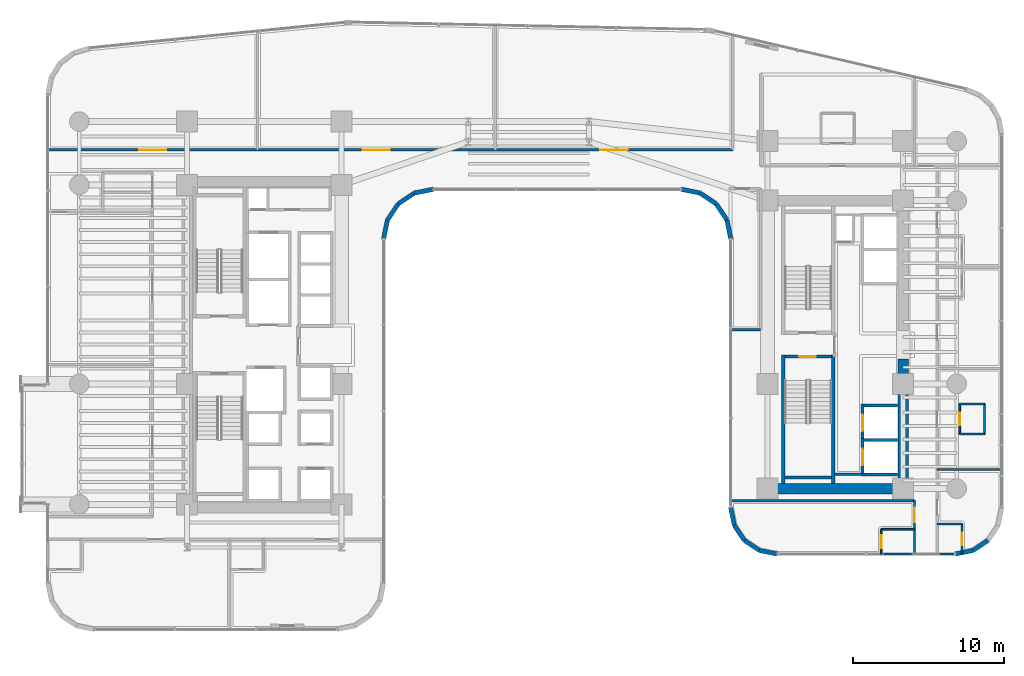
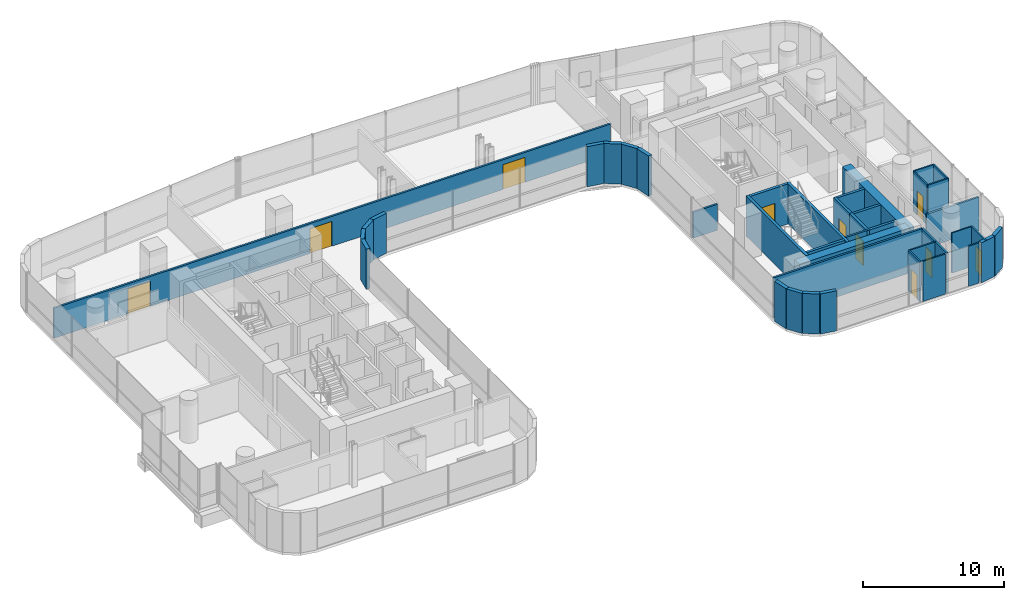
# One storey, part 32 of 40: 41 walls, 10 doors, 10 openings.
"""IFC4 building model written with IfcOpenShell, lengths in metres."""

from ifc_helpers import new_model, si_unit, direction, frame, frame_2d, origin, place, context, subcontext, project, spatial, rectangle, extrude, material, layer, layer_set, type_object, element, fill, save


model = new_model("IFC4")

# Units and contexts
model_context = context("Model", 3, precision=1e-05, world=origin(), true_north=direction((0.0, 1.0)))
body_context = subcontext(model_context, "Body", "Model", "MODEL_VIEW")
ifc_project = project(units=[si_unit("LENGTHUNIT", "METRE"), si_unit("AREAUNIT", "SQUARE_METRE"), si_unit("VOLUMEUNIT", "CUBIC_METRE"), si_unit("PLANEANGLEUNIT", "RADIAN"), si_unit("MASSUNIT", "GRAM", prefix="KILO")], contexts=[model_context])

# Site, building, storey
site_placement = place(None, origin())
site = spatial("IfcSite", under=ifc_project, at=site_placement, CompositionType="ELEMENT")
building_placement = place(site_placement, origin())
building = spatial("IfcBuilding", under=site, at=building_placement, Name="Valdorenza Pilgrim Sanctuary Tower", CompositionType="ELEMENT")
storey_placement = place(building_placement, frame((0.0, 0.0, 66.699951171875)))
storey = spatial("IfcBuildingStorey", under=building, at=storey_placement, Name="L16", CompositionType="ELEMENT", Elevation=66.699951171875)

# Wall
ifc_material_1 = material(Name="Acoustic twin-stud gypsum partition", Category="gypsum")
ifc_layer_1 = layer(ifc_material_1, 0.159912109375, Name="Acoustic twin-stud gypsum partition")
ifc_layer_set_1 = layer_set([ifc_layer_1], Name="Acoustic twin-stud gypsum partition")
wall_type_1 = type_object("IfcWallType", Name="WAL-COR-160", PredefinedType="PARTITIONING", material=ifc_layer_set_1)
wall_1_placement = place(storey_placement, frame((20.300048828125, -8.60009765625, 0.0), z_axis=(0.0, 0.0, 1.0), x_axis=(1.0, 0.0, 0.0)))
element("IfcWall", 1, at=wall_1_placement, inside=storey, type_object=wall_type_1, Name="L16 Core B Lift Hall South End Wall", PredefinedType="PARTITIONING", context=body_context, shape_type="SweptSolid", body=[
    extrude(rectangle(XDim=1.820068359375, YDim=0.159912109375, at=frame_2d((0.91015625, 0.0))), origin(), (0.0, 0.0, 1.0), 3.4599609375),
])

# Wall, openings, doors
wall_2_placement = place(storey_placement, frame((-31.889892578125, 12.919921875, 0.0), z_axis=(0.0, 0.0, 1.0), x_axis=(1.0, 0.0, 0.0)))
wall_2 = element("IfcWall", 2, at=wall_2_placement, inside=storey, type_object=wall_type_1, Name="L16 North Corridor Wall", PredefinedType="PARTITIONING", context=body_context, shape_type="SweptSolid", body=[
    extrude(rectangle(XDim=45.43994140625, YDim=0.159912109375, at=frame_2d((22.719970703125, 0.0))), origin(), (0.0, 0.0, 1.0), 2.5830078125),
])
opening_1_placement = place(wall_2_placement, frame((6.056884765625, 0.0, 0.0)))
opening_1 = element("IfcOpeningElement", 3, at=opening_1_placement, cuts=wall_2, Name="Opening DR-HL1", PredefinedType="OPENING", context=body_context, shape_type="SweptSolid", body=[
    extrude(rectangle(XDim=1.800048828125, YDim=2.14990234375, at=frame_2d((0.89990234375, 1.074951171875))), frame((0.0, 0.0947265625, 0.0), z_axis=(0.0, -1.0, 0.0), x_axis=(1.0, 0.0, 0.0)), (0.0, 0.0, 1.0), 0.189697265625),
])
opening_2_placement = place(wall_2_placement, frame((20.89501953125, 0.0, 0.0)))
opening_2 = element("IfcOpeningElement", 4, at=opening_2_placement, cuts=wall_2, Name="Opening DR-HL1", PredefinedType="OPENING", context=body_context, shape_type="SweptSolid", body=[
    extrude(rectangle(XDim=1.800048828125, YDim=2.14990234375, at=frame_2d((0.89990234375, 1.074951171875))), frame((0.0, 0.0947265625, 0.0), z_axis=(0.0, -1.0, 0.0), x_axis=(1.0, 0.0, 0.0)), (0.0, 0.0, 1.0), 0.189697265625),
])
opening_3_placement = place(wall_2_placement, frame((36.657958984375, 0.0, 0.0)))
opening_3 = element("IfcOpeningElement", 5, at=opening_3_placement, cuts=wall_2, Name="Opening DR-HL1", PredefinedType="OPENING", context=body_context, shape_type="SweptSolid", body=[
    extrude(rectangle(XDim=1.800048828125, YDim=2.14990234375, at=frame_2d((0.89990234375, 1.074951171875))), frame((0.0, 0.0947265625, 0.0), z_axis=(0.0, -1.0, 0.0), x_axis=(1.0, 0.0, 0.0)), (0.0, 0.0, 1.0), 0.189697265625),
])
ifc_material_2 = material(Name="Acoustic oak and vision-glass double door", Category="glass")
door_type_1 = type_object("IfcDoorType", Name="DR-HALL-1800", OperationType="NOTDEFINED", PredefinedType="DOOR", material=ifc_material_2)
door_1_placement = place(opening_1_placement, origin())
door_1 = element("IfcDoor", 6, at=door_1_placement, inside=storey, type_object=door_type_1, Name="L16 Sacred Art Exhibition Gallery L16-NG1 Door", OperationType="DOUBLE_DOOR_SINGLE_SWING", OverallHeight=2.14990234375, OverallWidth=1.800048828125, PredefinedType="DOOR", context=body_context, shape_type="SweptSolid", body=[
    extrude(rectangle(XDim=1.800048828125, YDim=2.14990234375, at=frame_2d((0.89990234375, 1.074951171875))), frame((0.0, 0.02490234375, 0.0), z_axis=(0.0, -1.0, 0.0), x_axis=(1.0, 0.0, 0.0)), (0.0, 0.0, 1.0), 0.050048828125),
])
fill(opening_1, door_1)
door_2_placement = place(opening_2_placement, frame((1.800048828125, 0.0, 0.0), z_axis=(0.0, 0.0, 1.0), x_axis=(-1.0, 0.0, 0.0)))
door_2 = element("IfcDoor", 7, at=door_2_placement, inside=storey, type_object=door_type_1, Name="L16 Sacred Art Exhibition Gallery L16-NG2 Door", OperationType="DOUBLE_DOOR_SINGLE_SWING", OverallHeight=2.14990234375, OverallWidth=1.800048828125, PredefinedType="DOOR", context=body_context, shape_type="SweptSolid", body=[
    extrude(rectangle(XDim=1.800048828125, YDim=2.14990234375, at=frame_2d((0.89990234375, 1.074951171875))), frame((0.0, 0.02490234375, 0.0), z_axis=(0.0, -1.0, 0.0), x_axis=(1.0, 0.0, 0.0)), (0.0, 0.0, 1.0), 0.050048828125),
])
fill(opening_2, door_2)
door_3_placement = place(opening_3_placement, origin())
door_3 = element("IfcDoor", 8, at=door_3_placement, inside=storey, type_object=door_type_1, Name="L16 Sacred Art Exhibition Gallery L16-NG3 Door", OperationType="DOUBLE_DOOR_SINGLE_SWING", OverallHeight=2.14990234375, OverallWidth=1.800048828125, PredefinedType="DOOR", context=body_context, shape_type="SweptSolid", body=[
    extrude(rectangle(XDim=1.800048828125, YDim=2.14990234375, at=frame_2d((0.89990234375, 1.074951171875))), frame((0.0, 0.02490234375, 0.0), z_axis=(0.0, -1.0, 0.0), x_axis=(1.0, 0.0, 0.0)), (0.0, 0.0, 1.0), 0.050048828125),
])
fill(opening_3, door_3)

# Wall, opening, door
wall_3_placement = place(storey_placement, frame((25.60009765625, -13.889892578125, 0.0), z_axis=(0.0, 0.0, 1.0), x_axis=(0.0, 1.0, 0.0)))
wall_3 = element("IfcWall", 9, at=wall_3_placement, inside=storey, type_object=wall_type_1, Name="L16 Wing B South-East Corridor Wall", PredefinedType="PARTITIONING", context=body_context, shape_type="SweptSolid", body=[
    extrude(rectangle(XDim=3.539794921875, YDim=0.159912109375, at=frame_2d((1.77001953125, 0.0))), origin(), (0.0, 0.0, 1.0), 3.4599609375),
])
opening_4_placement = place(wall_3_placement, frame((2.1201171875, 0.0, 0.0)))
opening_4 = element("IfcOpeningElement", 10, at=opening_4_placement, cuts=wall_3, Name="Opening DR-UN1", PredefinedType="OPENING", context=body_context, shape_type="SweptSolid", body=[
    extrude(rectangle(XDim=0.949951171875, YDim=2.14990234375, at=frame_2d((0.47509765625, 1.074951171875))), frame((0.0, 0.0947265625, 0.0), z_axis=(0.0, -1.0, 0.0), x_axis=(1.0, 0.0, 0.0)), (0.0, 0.0, 1.0), 0.189697265625),
])
ifc_material_3 = material(Name="Solid-core European oak timber", Category="wood")
door_type_2 = type_object("IfcDoorType", Name="DR-UNIT-950", OperationType="NOTDEFINED", PredefinedType="DOOR", material=ifc_material_3)
door_4_placement = place(opening_4_placement, frame((0.949951171875, 0.0, 0.0), z_axis=(0.0, 0.0, 1.0), x_axis=(-1.0, 0.0, 0.0)))
door_4 = element("IfcDoor", 11, at=door_4_placement, inside=storey, type_object=door_type_2, Name="L16 East South Guest Room L16-ES1 Entrance Door", OperationType="SINGLE_SWING_LEFT", OverallHeight=2.14990234375, OverallWidth=0.949951171875, PredefinedType="DOOR", context=body_context, shape_type="SweptSolid", body=[
    extrude(rectangle(XDim=0.949951171875, YDim=2.14990234375, at=frame_2d((0.47509765625, 1.074951171875))), frame((0.0, 0.02490234375, 0.0), z_axis=(0.0, -1.0, 0.0), x_axis=(1.0, 0.0, 0.0)), (0.0, 0.0, 1.0), 0.050048828125),
])
fill(opening_4, door_4)

# Walls
wall_4_placement = place(storey_placement, frame((13.409912109375, -10.35009765625, 0.0), z_axis=(0.0, 0.0, 1.0), x_axis=(1.0, 0.0, 0.0)))
element("IfcWall", 12, at=wall_4_placement, inside=storey, type_object=wall_type_1, Name="L16 Wing B South North Wall", PredefinedType="PARTITIONING", context=body_context, shape_type="SweptSolid", body=[
    extrude(rectangle(XDim=12.190185546875, YDim=0.159912109375, at=frame_2d((6.09521484375, 0.0))), origin(), (0.0, 0.0, 1.0), 3.4599609375),
])
wall_5_placement = place(storey_placement, frame((13.409912109375, 1.0, 0.0), z_axis=(0.0, 0.0, 1.0), x_axis=(1.0, 0.0, 0.0)))
element("IfcWall", 13, at=wall_5_placement, inside=storey, type_object=wall_type_1, Name="L16 Courtyard Overlook South Wall", PredefinedType="PARTITIONING", context=body_context, shape_type="SweptSolid", body=[
    extrude(rectangle(XDim=1.989990234375, YDim=0.159912109375, at=frame_2d((0.9951171875, 0.0))), origin(), (0.0, 0.0, 1.0), 2.2451171875),
])
ifc_material_4 = material(Name="Concrete C60/75", Category="concrete")
ifc_layer_2 = layer(ifc_material_4, 0.699951171875, Name="Concrete C60/75")
ifc_layer_set_2 = layer_set([ifc_layer_2], Name="Concrete C60/75")
wall_type_2 = type_object("IfcWallType", Name="WAL-COR-700", PredefinedType="SHEAR", material=ifc_layer_set_2)
wall_6_placement = place(storey_placement, frame((24.85009765625, -9.89990234375, 0.0), z_axis=(0.0, 0.0, 1.0), x_axis=(0.0, 1.0, 0.0)))
element("IfcWall", 14, at=wall_6_placement, inside=storey, type_object=wall_type_2, Name="L16 Split Core B Shear Wall ES", PredefinedType="SHEAR", context=body_context, shape_type="SweptSolid", body=[
    extrude(rectangle(XDim=8.949951171875, YDim=0.699951171875, at=frame_2d((4.47509765625, 0.0))), origin(), (0.0, 0.0, 1.0), 3.4599609375),
])
wall_7_placement = place(storey_placement, frame((15.85009765625, -9.550048828125, 0.0), z_axis=(0.0, 0.0, 1.0), x_axis=(1.0, 0.0, 0.0)))
element("IfcWall", 15, at=wall_7_placement, inside=storey, type_object=wall_type_2, Name="L16 Split Core B Shear Wall S", PredefinedType="SHEAR", context=body_context, shape_type="SweptSolid", body=[
    extrude(rectangle(XDim=9.0, YDim=0.699951171875, at=frame_2d((4.5, 0.0))), origin(), (0.0, 0.0, 1.0), 3.4599609375),
])
ifc_material_5 = material(Name="Honed travertine limestone", Category="masonry")
ifc_layer_3 = layer(ifc_material_5, 0.300048828125, Name="Honed travertine limestone")
ifc_layer_set_3 = layer_set([ifc_layer_3], Name="Honed travertine limestone")
wall_type_3 = type_object("IfcWallType", Name="WAL-EXT-300", PredefinedType="SOLIDWALL", material=ifc_layer_set_3)
wall_8_placement = place(storey_placement, frame((30.4833984375, -12.9833984375, 0.0), z_axis=(0.0, 0.0, 1.0), x_axis=(-0.831426265255, -0.555635100982, 0.0)))
element("IfcWall", 16, at=wall_8_placement, inside=storey, type_object=wall_type_3, Name="L16 Rounded Wind-Corner Stone Pier 24", PredefinedType="SOLIDWALL", context=body_context, shape_type="SweptSolid", body=[
    extrude(rectangle(XDim=1.204833984375, YDim=0.300048828125, at=frame_2d((0.6025390625, 0.0))), origin(), (0.0, 0.0, 1.0), 3.4599609375),
])
for number, where, z_axis, x_axis, name in (
    (17, (29.481689453125, -13.65283203125, 0.0), (0.0, 0.0, 1.0), (-0.980804027463, -0.194996050505, 0.0), "L16 Rounded Wind-Corner Stone Pier 25"),
    (18, (16.5107421875, -13.889892578125, 0.0), (0.0, 0.0, 1.0), (-0.980804027463, 0.194996050505, 0.0), "L16 Rounded Wind-Corner Stone Pier 27"),
):
    element("IfcWall", number, at=place(storey_placement, frame(where, z_axis=z_axis, x_axis=x_axis)), inside=storey, type_object=wall_type_3, Name=name, PredefinedType="SOLIDWALL", context=body_context, shape_type="SweptSolid", body=[
        extrude(rectangle(XDim=1.2158203125, YDim=0.300048828125, at=frame_2d((0.60791015625, 0.0))), origin(), (0.0, 0.0, 1.0), 3.4599609375),
    ])
for number, where, z_axis, x_axis, name in (
    (19, (15.318359375, -13.65283203125, 0.0), (0.0, 0.0, 1.0), (-0.831426265255, 0.555635100982, 0.0), "L16 Rounded Wind-Corner Stone Pier 28"),
    (20, (14.316650390625, -12.9833984375, 0.0), (0.0, 0.0, 1.0), (-0.555635100982, 0.831426265255, 0.0), "L16 Rounded Wind-Corner Stone Pier 29"),
):
    element("IfcWall", number, at=place(storey_placement, frame(where, z_axis=z_axis, x_axis=x_axis)), inside=storey, type_object=wall_type_3, Name=name, PredefinedType="SOLIDWALL", context=body_context, shape_type="SweptSolid", body=[
        extrude(rectangle(XDim=1.204833984375, YDim=0.300048828125, at=frame_2d((0.6025390625, 0.0))), origin(), (0.0, 0.0, 1.0), 3.4599609375),
    ])
wall_9_placement = place(storey_placement, frame((13.647216796875, -11.981689453125, 0.0), z_axis=(0.0, 0.0, 1.0), x_axis=(-0.195189223115, 0.980765602568, 0.0)))
element("IfcWall", 21, at=wall_9_placement, inside=storey, type_object=wall_type_3, Name="L16 Rounded Wind-Corner Stone Pier 30", PredefinedType="SOLIDWALL", context=body_context, shape_type="SweptSolid", body=[
    extrude(rectangle(XDim=1.2158203125, YDim=0.300048828125, at=frame_2d((0.60791015625, 0.0))), origin(), (0.0, 0.0, 1.0), 3.4599609375),
])
wall_10_placement = place(storey_placement, frame((13.409912109375, 7.0107421875, 0.0), z_axis=(0.0, 0.0, 1.0), x_axis=(-0.195090163074, 0.980785312019, 0.0)))
element("IfcWall", 22, at=wall_10_placement, inside=storey, type_object=wall_type_3, Name="L16 Rounded Wind-Corner Stone Pier 32", PredefinedType="SOLIDWALL", context=body_context, shape_type="SweptSolid", body=[
    extrude(rectangle(XDim=1.281494140625, YDim=0.300048828125, at=frame_2d((0.640625, 0.0))), origin(), (0.0, 0.0, 1.0), 3.4599609375),
])
for number, where, z_axis, x_axis, name in (
    (23, (13.159912109375, 8.267578125, 0.0), (0.0, 0.0, 1.0), (-0.555615398575, 0.831439431869, 0.0), "L16 Rounded Wind-Corner Stone Pier 33"),
    (24, (12.44189453125, 9.342041015625, 0.0), (0.0, 0.0, 1.0), (-0.831439431869, 0.555615398575, 0.0), "L16 Rounded Wind-Corner Stone Pier 34"),
):
    element("IfcWall", number, at=place(storey_placement, frame(where, z_axis=z_axis, x_axis=x_axis)), inside=storey, type_object=wall_type_3, Name=name, PredefinedType="SOLIDWALL", context=body_context, shape_type="SweptSolid", body=[
        extrude(rectangle(XDim=1.292236328125, YDim=0.300048828125, at=frame_2d((0.64599609375, 0.0))), origin(), (0.0, 0.0, 1.0), 3.4599609375),
    ])
for number, where, z_axis, x_axis, name in (
    (25, (11.367431640625, 10.06005859375, 0.0), (0.0, 0.0, 1.0), (-0.980778058848, 0.195126623715, 0.0), "L16 Rounded Wind-Corner Stone Pier 35"),
    (26, (-6.310791015625, 10.31005859375, 0.0), (0.0, 0.0, 1.0), (-0.980778058848, -0.195126623715, 0.0), "L16 Rounded Wind-Corner Stone Pier 37"),
):
    element("IfcWall", number, at=place(storey_placement, frame(where, z_axis=z_axis, x_axis=x_axis)), inside=storey, type_object=wall_type_3, Name=name, PredefinedType="SOLIDWALL", context=body_context, shape_type="SweptSolid", body=[
        extrude(rectangle(XDim=1.28125, YDim=0.300048828125, at=frame_2d((0.640625, 0.0))), origin(), (0.0, 0.0, 1.0), 3.4599609375),
    ])
wall_11_placement = place(storey_placement, frame((-7.5673828125, 10.06005859375, 0.0), z_axis=(0.0, 0.0, 1.0), x_axis=(-0.831497739511, -0.555528135371, 0.0)))
element("IfcWall", 27, at=wall_11_placement, inside=storey, type_object=wall_type_3, Name="L16 Rounded Wind-Corner Stone Pier 38", PredefinedType="SOLIDWALL", context=body_context, shape_type="SweptSolid", body=[
    extrude(rectangle(XDim=1.29248046875, YDim=0.300048828125, at=frame_2d((0.646240234375, 0.0))), origin(), (0.0, 0.0, 1.0), 3.4599609375),
])
wall_12_placement = place(storey_placement, frame((-8.64208984375, 9.342041015625, 0.0), z_axis=(0.0, 0.0, 1.0), x_axis=(-0.555615398575, -0.831439431869, 0.0)))
element("IfcWall", 28, at=wall_12_placement, inside=storey, type_object=wall_type_3, Name="L16 Rounded Wind-Corner Stone Pier 39", PredefinedType="SOLIDWALL", context=body_context, shape_type="SweptSolid", body=[
    extrude(rectangle(XDim=1.292236328125, YDim=0.300048828125, at=frame_2d((0.64599609375, 0.0))), origin(), (0.0, 0.0, 1.0), 3.4599609375),
])
wall_13_placement = place(storey_placement, frame((-9.360107421875, 8.267578125, 0.0), z_axis=(0.0, 0.0, 1.0), x_axis=(-0.195090163074, -0.980785312019, 0.0)))
element("IfcWall", 29, at=wall_13_placement, inside=storey, type_object=wall_type_3, Name="L16 Rounded Wind-Corner Stone Pier 40", PredefinedType="SOLIDWALL", context=body_context, shape_type="SweptSolid", body=[
    extrude(rectangle(XDim=1.281494140625, YDim=0.300048828125, at=frame_2d((0.640625, 0.0))), origin(), (0.0, 0.0, 1.0), 3.4599609375),
])
ifc_material_6 = material(Name="Moisture-resistant gypsum partition", Category="gypsum")
ifc_layer_4 = layer(ifc_material_6, 0.1201171875, Name="Moisture-resistant gypsum partition")
ifc_layer_set_4 = layer_set([ifc_layer_4], Name="Moisture-resistant gypsum partition")
wall_type_4 = type_object("IfcWallType", Name="WAL-INT-120", PredefinedType="PARTITIONING", material=ifc_layer_set_4)
wall_14_placement = place(storey_placement, frame((23.39990234375, -12.239990234375, 0.0), z_axis=(0.0, 0.0, 1.0), x_axis=(1.0, 0.0, 0.0)))
element("IfcWall", 30, at=wall_14_placement, inside=storey, type_object=wall_type_4, Name="L16 East South Guest Room L16-ES1 En-suite North Wall", PredefinedType="PARTITIONING", context=body_context, shape_type="SweptSolid", body=[
    extrude(rectangle(XDim=2.2001953125, YDim=0.1201171875, at=frame_2d((1.10009765625, 0.0))), origin(), (0.0, 0.0, 1.0), 3.4599609375),
])

# Wall, opening, door
wall_15_placement = place(storey_placement, frame((23.39990234375, -13.889892578125, 0.0), z_axis=(0.0, 0.0, 1.0), x_axis=(0.0, 1.0, 0.0)))
wall_15 = element("IfcWall", 31, at=wall_15_placement, inside=storey, type_object=wall_type_4, Name="L16 East South Guest Room L16-ES1 En-suite Door Wall", PredefinedType="PARTITIONING", context=body_context, shape_type="SweptSolid", body=[
    extrude(rectangle(XDim=1.64990234375, YDim=0.1201171875, at=frame_2d((0.824951171875, 0.0))), origin(), (0.0, 0.0, 1.0), 3.4599609375),
])
opening_5_placement = place(wall_15_placement, frame((0.39990234375, 0.0, 0.0)))
opening_5 = element("IfcOpeningElement", 32, at=opening_5_placement, cuts=wall_15, Name="Opening DR-WC1", PredefinedType="OPENING", context=body_context, shape_type="SweptSolid", body=[
    extrude(rectangle(XDim=0.85009765625, YDim=2.10009765625, at=frame_2d((0.425048828125, 1.050048828125))), frame((0.0, 0.074951171875, 0.0), z_axis=(0.0, -1.0, 0.0), x_axis=(1.0, 0.0, 0.0)), (0.0, 0.0, 1.0), 0.14990234375),
])
ifc_material_7 = material(Name="Moisture-resistant lacquered timber", Category="wood")
door_type_3 = type_object("IfcDoorType", Name="DR-BATH-850", OperationType="NOTDEFINED", PredefinedType="DOOR", material=ifc_material_7)
door_5_placement = place(opening_5_placement, origin())
door_5 = element("IfcDoor", 33, at=door_5_placement, inside=storey, type_object=door_type_3, Name="L16 East South Guest Room L16-ES1 En-suite Bathroom Door", OperationType="SINGLE_SWING_RIGHT", OverallHeight=2.10009765625, OverallWidth=0.85009765625, PredefinedType="DOOR", context=body_context, shape_type="SweptSolid", body=[
    extrude(rectangle(XDim=0.85009765625, YDim=2.10009765625, at=frame_2d((0.425048828125, 1.050048828125))), frame((0.0, 0.02490234375, 0.0), z_axis=(0.0, -1.0, 0.0), x_axis=(1.0, 0.0, 0.0)), (0.0, 0.0, 1.0), 0.050048828125),
])
fill(opening_5, door_5)

# Walls
wall_16_placement = place(storey_placement, frame((23.580078125, -13.889892578125, 0.0), z_axis=(0.0, 0.0, 1.0), x_axis=(1.0, 0.0, 0.0)))
element("IfcWall", 34, at=wall_16_placement, inside=storey, type_object=wall_type_4, Name="L16 WB-SG1-ENS Enclosure Wall S", PredefinedType="PARTITIONING", context=body_context, shape_type="SweptSolid", body=[
    extrude(rectangle(XDim=1.81982421875, YDim=0.1201171875, at=frame_2d((0.909912109375, 0.0))), origin(), (0.0, 0.0, 1.0), 3.4599609375),
])
wall_17_placement = place(storey_placement, frame((27.10009765625, -11.889892578125, 0.0), z_axis=(0.0, 0.0, 1.0), x_axis=(1.0, 0.0, 0.0)))
element("IfcWall", 35, at=wall_17_placement, inside=storey, type_object=wall_type_4, Name="L16 East Sanctuary Guest Room L16-EG1 En-suite North Wall", PredefinedType="PARTITIONING", context=body_context, shape_type="SweptSolid", body=[
    extrude(rectangle(XDim=1.64990234375, YDim=0.1201171875, at=frame_2d((0.824951171875, 0.0))), origin(), (0.0, 0.0, 1.0), 3.4599609375),
])

# Wall, opening, door
wall_18_placement = place(storey_placement, frame((28.75, -13.889892578125, 0.0), z_axis=(0.0, 0.0, 1.0), x_axis=(0.0, 1.0, 0.0)))
wall_18 = element("IfcWall", 36, at=wall_18_placement, inside=storey, type_object=wall_type_4, Name="L16 East Sanctuary Guest Room L16-EG1 En-suite Door Wall", PredefinedType="PARTITIONING", context=body_context, shape_type="SweptSolid", body=[
    extrude(rectangle(XDim=2.0, YDim=0.1201171875, at=frame_2d((1.0, 0.0))), origin(), (0.0, 0.0, 1.0), 3.4599609375),
])
opening_6_placement = place(wall_18_placement, frame((0.574951171875, 0.0, 0.0)))
opening_6 = element("IfcOpeningElement", 37, at=opening_6_placement, cuts=wall_18, Name="Opening DR-WC1", PredefinedType="OPENING", context=body_context, shape_type="SweptSolid", body=[
    extrude(rectangle(XDim=0.85009765625, YDim=2.10009765625, at=frame_2d((0.425048828125, 1.050048828125))), frame((0.0, 0.074951171875, 0.0), z_axis=(0.0, -1.0, 0.0), x_axis=(1.0, 0.0, 0.0)), (0.0, 0.0, 1.0), 0.14990234375),
])
door_6_placement = place(opening_6_placement, origin())
door_6 = element("IfcDoor", 38, at=door_6_placement, inside=storey, type_object=door_type_3, Name="L16 East Sanctuary Guest Room L16-EG1 En-suite Bathroom Door", OperationType="SINGLE_SWING_LEFT", OverallHeight=2.10009765625, OverallWidth=0.85009765625, PredefinedType="DOOR", context=body_context, shape_type="SweptSolid", body=[
    extrude(rectangle(XDim=0.85009765625, YDim=2.10009765625, at=frame_2d((0.425048828125, 1.050048828125))), frame((0.0, 0.02490234375, 0.0), z_axis=(0.0, -1.0, 0.0), x_axis=(1.0, 0.0, 0.0)), (0.0, 0.0, 1.0), 0.050048828125),
])
fill(opening_6, door_6)

# Walls
wall_19_placement = place(storey_placement, frame((27.300048828125, -13.889892578125, 0.0), z_axis=(0.0, 0.0, 1.0), x_axis=(1.0, 0.0, 0.0)))
element("IfcWall", 39, at=wall_19_placement, inside=storey, type_object=wall_type_4, Name="L16 WB-EG1-ENS Enclosure Wall S", PredefinedType="PARTITIONING", context=body_context, shape_type="SweptSolid", body=[
    extrude(rectangle(XDim=0.86669921875, YDim=0.1201171875, at=frame_2d((0.433349609375, 0.0))), origin(), (0.0, 0.0, 1.0), 3.4599609375),
])
for number, where, z_axis, x_axis, name in (
    (40, (28.60009765625, -5.930908203125, 0.0), (0.0, 0.0, 1.0), (1.0, 0.0, 0.0), "L16 East Sanctuary Guest Room L16-EG2 En-suite South Wall"),
    (41, (28.60009765625, -3.930908203125, 0.0), (0.0, 0.0, 1.0), (1.0, 0.0, 0.0), "L16 East Sanctuary Guest Room L16-EG2 En-suite North Wall"),
):
    element("IfcWall", number, at=place(storey_placement, frame(where, z_axis=z_axis, x_axis=x_axis)), inside=storey, type_object=wall_type_4, Name=name, PredefinedType="PARTITIONING", context=body_context, shape_type="SweptSolid", body=[
        extrude(rectangle(XDim=1.64990234375, YDim=0.1201171875, at=frame_2d((0.824951171875, 0.0))), origin(), (0.0, 0.0, 1.0), 3.4599609375),
    ])
wall_20_placement = place(storey_placement, frame((30.25, -5.930908203125, 0.0), z_axis=(0.0, 0.0, 1.0), x_axis=(0.0, 1.0, 0.0)))
element("IfcWall", 42, at=wall_20_placement, inside=storey, type_object=wall_type_4, Name="L16 East Sanctuary Guest Room L16-EG2 En-suite Back Wall", PredefinedType="PARTITIONING", context=body_context, shape_type="SweptSolid", body=[
    extrude(rectangle(XDim=2.0, YDim=0.1201171875, at=frame_2d((1.0, 0.0))), origin(), (0.0, 0.0, 1.0), 3.4599609375),
])

# Wall, opening, door
wall_21_placement = place(storey_placement, frame((28.60009765625, -5.930908203125, 0.0), z_axis=(0.0, 0.0, 1.0), x_axis=(0.0, 1.0, 0.0)))
wall_21 = element("IfcWall", 43, at=wall_21_placement, inside=storey, type_object=wall_type_4, Name="L16 East Sanctuary Guest Room L16-EG2 En-suite Door Wall", PredefinedType="PARTITIONING", context=body_context, shape_type="SweptSolid", body=[
    extrude(rectangle(XDim=2.0, YDim=0.1201171875, at=frame_2d((1.0, 0.0))), origin(), (0.0, 0.0, 1.0), 3.4599609375),
])
opening_7_placement = place(wall_21_placement, frame((0.574951171875, 0.0, 0.0)))
opening_7 = element("IfcOpeningElement", 44, at=opening_7_placement, cuts=wall_21, Name="Opening DR-WC1", PredefinedType="OPENING", context=body_context, shape_type="SweptSolid", body=[
    extrude(rectangle(XDim=0.85009765625, YDim=2.10009765625, at=frame_2d((0.425048828125, 1.050048828125))), frame((0.0, 0.074951171875, 0.0), z_axis=(0.0, -1.0, 0.0), x_axis=(1.0, 0.0, 0.0)), (0.0, 0.0, 1.0), 0.14990234375),
])
door_7_placement = place(opening_7_placement, origin())
door_7 = element("IfcDoor", 45, at=door_7_placement, inside=storey, type_object=door_type_3, Name="L16 East Sanctuary Guest Room L16-EG2 En-suite Bathroom Door", OperationType="SINGLE_SWING_LEFT", OverallHeight=2.10009765625, OverallWidth=0.85009765625, PredefinedType="DOOR", context=body_context, shape_type="SweptSolid", body=[
    extrude(rectangle(XDim=0.85009765625, YDim=2.10009765625, at=frame_2d((0.425048828125, 1.050048828125))), frame((0.0, 0.02490234375, 0.0), z_axis=(0.0, -1.0, 0.0), x_axis=(1.0, 0.0, 0.0)), (0.0, 0.0, 1.0), 0.050048828125),
])
fill(opening_7, door_7)

ifc_material_8 = material(Name="Autoclaved aerated concrete blockwork", Category="masonry")
ifc_layer_5 = layer(ifc_material_8, 0.199951171875, Name="Autoclaved aerated concrete blockwork")
ifc_layer_set_5 = layer_set([ifc_layer_5], Name="Autoclaved aerated concrete blockwork")
wall_type_5 = type_object("IfcWallType", Name="WAL-SHF-200", PredefinedType="MOVABLE", material=ifc_layer_set_5)
wall_22_placement = place(storey_placement, frame((22.14990234375, -8.699951171875, 0.0), z_axis=(0.0, 0.0, 1.0), x_axis=(0.0, 1.0, 0.0)))
wall_22 = element("IfcWall", 46, at=wall_22_placement, inside=storey, type_object=wall_type_5, Name="L16 Lift PL-03 Hoistway Wall West", PredefinedType="MOVABLE", context=body_context, shape_type="SweptSolid", body=[
    extrude(rectangle(XDim=2.474853515625, YDim=0.199951171875, at=frame_2d((1.2373046875, 0.0))), origin(), (0.0, 0.0, 1.0), 3.4599609375),
])
opening_8_placement = place(wall_22_placement, frame((0.6875, 0.0, 0.0)))
opening_8 = element("IfcOpeningElement", 47, at=opening_8_placement, cuts=wall_22, Name="Opening LD-01", PredefinedType="OPENING", context=body_context, shape_type="SweptSolid", body=[
    extrude(rectangle(XDim=1.10009765625, YDim=2.10009765625, at=frame_2d((0.550048828125, 1.050048828125))), frame((0.0, 0.11474609375, 0.0), z_axis=(0.0, -1.0, 0.0), x_axis=(1.0, 0.0, 0.0)), (0.0, 0.0, 1.0), 0.229736328125),
])
ifc_material_9 = material(Name="Brushed stainless steel Grade 316", Category="steel")
door_type_4 = type_object("IfcDoorType", Name="DR-LFT-1100", OperationType="DOUBLE_DOOR_SLIDING", PredefinedType="DOOR", material=ifc_material_9)
door_8_placement = place(opening_8_placement, origin())
door_8 = element("IfcDoor", 48, at=door_8_placement, inside=storey, type_object=door_type_4, Name="L16 Lift PL-03 Sliding Landing Door", OperationType="DOUBLE_DOOR_SLIDING", OverallHeight=2.10009765625, OverallWidth=1.10009765625, PredefinedType="DOOR", context=body_context, shape_type="SweptSolid", body=[
    extrude(rectangle(XDim=1.10009765625, YDim=2.10009765625, at=frame_2d((0.550048828125, 1.050048828125))), frame((0.0, 0.02490234375, 0.0), z_axis=(0.0, -1.0, 0.0), x_axis=(1.0, 0.0, 0.0)), (0.0, 0.0, 1.0), 0.050048828125),
])
fill(opening_8, door_8)

# Walls
for number, where, z_axis, x_axis, name in (
    (49, (22.25, -8.60009765625, 0.0), (0.0, 0.0, 1.0), (1.0, 0.0, 0.0), "L16 Lift PL-03 Hoistway Wall South"),
    (50, (22.25, -6.324951171875, 0.0), (0.0, 0.0, 1.0), (1.0, 0.0, 0.0), "L16 Lift PL-03 Hoistway Wall North"),
):
    element("IfcWall", number, at=place(storey_placement, frame(where, z_axis=z_axis, x_axis=x_axis)), inside=storey, type_object=wall_type_5, Name=name, PredefinedType="MOVABLE", context=body_context, shape_type="SweptSolid", body=[
        extrude(rectangle(XDim=2.22998046875, YDim=0.199951171875, at=frame_2d((1.114990234375, 0.0))), origin(), (0.0, 0.0, 1.0), 3.4599609375),
    ])

# Wall, opening, door
wall_23_placement = place(storey_placement, frame((22.14990234375, -6.425048828125, 0.0), z_axis=(0.0, 0.0, 1.0), x_axis=(0.0, 1.0, 0.0)))
wall_23 = element("IfcWall", 51, at=wall_23_placement, inside=storey, type_object=wall_type_5, Name="L16 Lift PL-04 Hoistway Wall West", PredefinedType="MOVABLE", context=body_context, shape_type="SweptSolid", body=[
    extrude(rectangle(XDim=2.47509765625, YDim=0.199951171875, at=frame_2d((1.237548828125, 0.0))), origin(), (0.0, 0.0, 1.0), 3.4599609375),
])
opening_9_placement = place(wall_23_placement, frame((0.6875, 0.0, 0.0)))
opening_9 = element("IfcOpeningElement", 52, at=opening_9_placement, cuts=wall_23, Name="Opening LD-01", PredefinedType="OPENING", context=body_context, shape_type="SweptSolid", body=[
    extrude(rectangle(XDim=1.10009765625, YDim=2.10009765625, at=frame_2d((0.550048828125, 1.050048828125))), frame((0.0, 0.11474609375, 0.0), z_axis=(0.0, -1.0, 0.0), x_axis=(1.0, 0.0, 0.0)), (0.0, 0.0, 1.0), 0.229736328125),
])
door_9_placement = place(opening_9_placement, origin())
door_9 = element("IfcDoor", 53, at=door_9_placement, inside=storey, type_object=door_type_4, Name="L16 Lift PL-04 Sliding Landing Door", OperationType="DOUBLE_DOOR_SLIDING", OverallHeight=2.10009765625, OverallWidth=1.10009765625, PredefinedType="DOOR", context=body_context, shape_type="SweptSolid", body=[
    extrude(rectangle(XDim=1.10009765625, YDim=2.10009765625, at=frame_2d((0.550048828125, 1.050048828125))), frame((0.0, 0.02490234375, 0.0), z_axis=(0.0, -1.0, 0.0), x_axis=(1.0, 0.0, 0.0)), (0.0, 0.0, 1.0), 0.050048828125),
])
fill(opening_9, door_9)

# Walls
wall_24_placement = place(storey_placement, frame((22.25, -4.050048828125, 0.0), z_axis=(0.0, 0.0, 1.0), x_axis=(1.0, 0.0, 0.0)))
element("IfcWall", 54, at=wall_24_placement, inside=storey, type_object=wall_type_5, Name="L16 Lift PL-04 Hoistway Wall North", PredefinedType="MOVABLE", context=body_context, shape_type="SweptSolid", body=[
    extrude(rectangle(XDim=2.22998046875, YDim=0.199951171875, at=frame_2d((1.114990234375, 0.0))), origin(), (0.0, 0.0, 1.0), 3.4599609375),
])
ifc_material_10 = material(Name="Concrete C40/50", Category="concrete")
ifc_layer_6 = layer(ifc_material_10, 0.219970703125, Name="Concrete C40/50")
ifc_layer_set_6 = layer_set([ifc_layer_6], Name="Concrete C40/50")
wall_type_6 = type_object("IfcWallType", Name="WAL-STR-SHF-220", PredefinedType="SHEAR", material=ifc_layer_set_6)
for number, where, z_axis, x_axis, name in (
    (55, (16.889892578125, -9.199951171875, 0.0), (0.0, 0.0, 1.0), (0.0, 1.0, 0.0), "L16 ST-B2 Structural Stairwell Wall W"),
    (56, (20.219970703125, -9.199951171875, 0.0), (0.0, 0.0, 1.0), (0.0, 1.0, 0.0), "L16 ST-B2 Structural Stairwell Wall E"),
):
    element("IfcWall", number, at=place(storey_placement, frame(where, z_axis=z_axis, x_axis=x_axis)), inside=storey, type_object=wall_type_6, Name=name, PredefinedType="SHEAR", context=body_context, shape_type="SweptSolid", body=[
        extrude(rectangle(XDim=8.52001953125, YDim=0.219970703125, at=frame_2d((4.260009765625, 0.0))), origin(), (0.0, 0.0, 1.0), 3.4599609375),
    ])
wall_25_placement = place(storey_placement, frame((17.0, -8.81005859375, 0.0), z_axis=(0.0, 0.0, 1.0), x_axis=(1.0, 0.0, 0.0)))
element("IfcWall", 57, at=wall_25_placement, inside=storey, type_object=wall_type_6, Name="L16 ST-B2 Structural Stairwell Wall S", PredefinedType="SHEAR", context=body_context, shape_type="SweptSolid", body=[
    extrude(rectangle(XDim=3.110107421875, YDim=0.219970703125, at=frame_2d((1.55517578125, 0.0))), origin(), (0.0, 0.0, 1.0), 3.4599609375),
])

# Wall, opening, door
wall_26_placement = place(storey_placement, frame((17.0, -0.7900390625, 0.0), z_axis=(0.0, 0.0, 1.0), x_axis=(1.0, 0.0, 0.0)))
wall_26 = element("IfcWall", 58, at=wall_26_placement, inside=storey, type_object=wall_type_6, Name="L16 ST-B2 Structural Stairwell Wall N", PredefinedType="SHEAR", context=body_context, shape_type="SweptSolid", body=[
    extrude(rectangle(XDim=3.110107421875, YDim=0.219970703125, at=frame_2d((1.55517578125, 0.0))), origin(), (0.0, 0.0, 1.0), 3.4599609375),
])
opening_10_placement = place(wall_26_placement, frame((0.949951171875, 0.0, 0.0)))
opening_10 = element("IfcOpeningElement", 59, at=opening_10_placement, cuts=wall_26, Name="Opening DR-ST1", PredefinedType="OPENING", context=body_context, shape_type="SweptSolid", body=[
    extrude(rectangle(XDim=1.10009765625, YDim=2.14990234375, at=frame_2d((0.550048828125, 1.074951171875))), frame((0.0, 0.125, 0.0), z_axis=(0.0, -1.0, 0.0), x_axis=(1.0, 0.0, 0.0)), (0.0, 0.0, 1.0), 0.249755859375),
])
ifc_material_11 = material(Name="Painted galvanized steel", Category="steel")
door_type_5 = type_object("IfcDoorType", Name="DR-STAIR-1100", OperationType="NOTDEFINED", PredefinedType="DOOR", material=ifc_material_11)
door_10_placement = place(opening_10_placement, frame((1.10009765625, 0.0, 0.0), z_axis=(0.0, 0.0, 1.0), x_axis=(-1.0, 0.0, 0.0)))
door_10 = element("IfcDoor", 60, at=door_10_placement, inside=storey, type_object=door_type_5, Name="L16 Exit Stair ST-B2 Door", OperationType="SINGLE_SWING_LEFT", OverallHeight=2.14990234375, OverallWidth=1.10009765625, PredefinedType="DOOR", context=body_context, shape_type="SweptSolid", body=[
    extrude(rectangle(XDim=1.10009765625, YDim=2.14990234375, at=frame_2d((0.550048828125, 1.074951171875))), frame((0.0, 0.02490234375, 0.0), z_axis=(0.0, -1.0, 0.0), x_axis=(1.0, 0.0, 0.0)), (0.0, 0.0, 1.0), 0.050048828125),
])
fill(opening_10, door_10)

# Wall
ifc_layer_7 = layer(ifc_material_1, 0.14990234375, Name="Acoustic twin-stud gypsum partition")
ifc_layer_set_7 = layer_set([ifc_layer_7], Name="Acoustic twin-stud gypsum partition")
wall_type_7 = type_object("IfcWallType", Name="WAL-UNT-150", PredefinedType="PARTITIONING", material=ifc_layer_set_7)
wall_27_placement = place(storey_placement, frame((27.10009765625, -8.287109375, 0.0), z_axis=(0.0, 0.0, 1.0), x_axis=(1.0, 0.0, 0.0)))
element("IfcWall", 61, at=wall_27_placement, inside=storey, type_object=wall_type_7, Name="L16 East Wing Guest Demising 1", PredefinedType="PARTITIONING", context=body_context, shape_type="SweptSolid", body=[
    extrude(rectangle(XDim=4.289794921875, YDim=0.14990234375, at=frame_2d((2.14501953125, 0.0))), origin(), (0.0, 0.0, 1.0), 2.89599609375),
])

save(model, "model.ifc")
